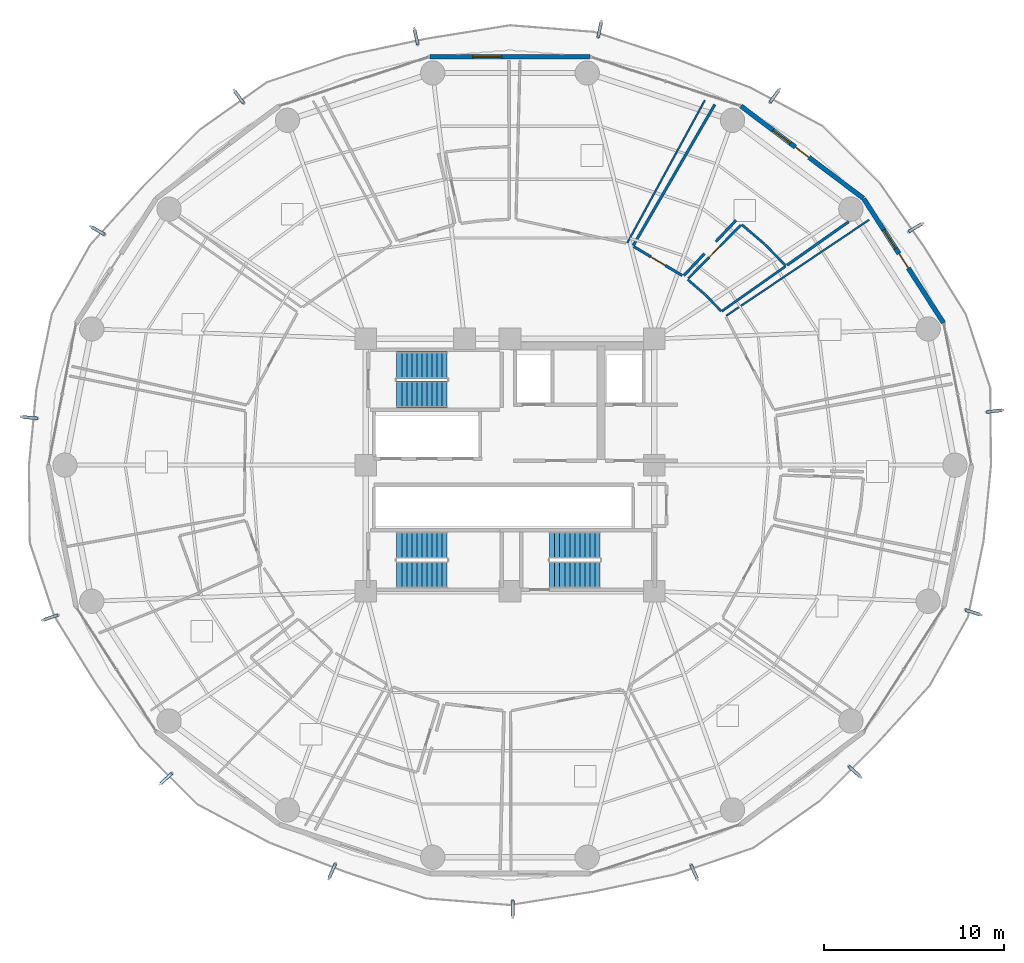
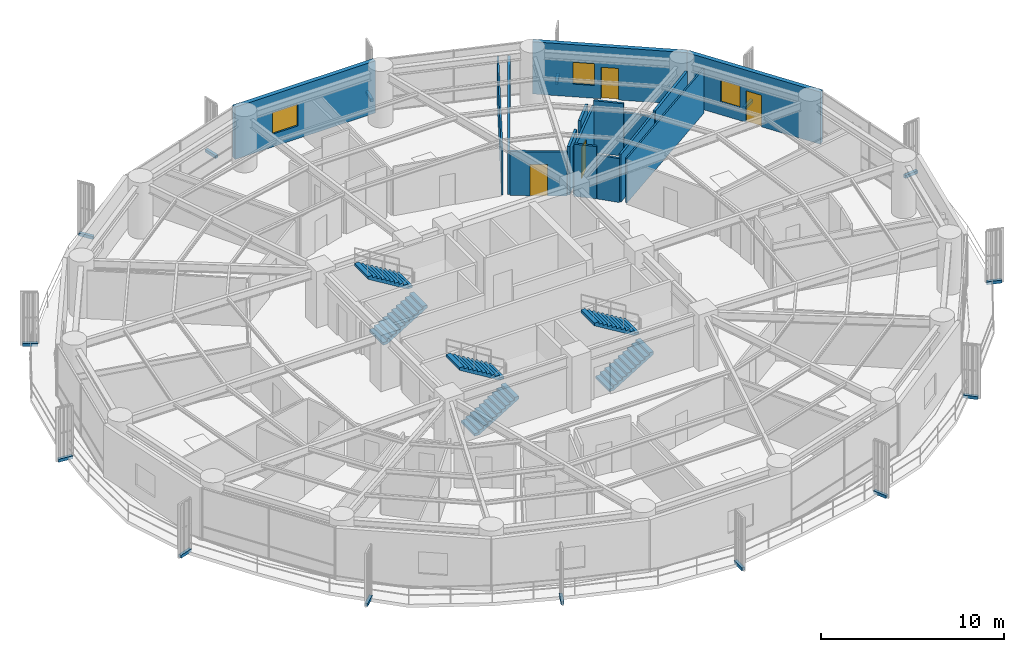
# One storey, part 32 of 35: 16 walls, 15 discrete accessories, 6 stair flights, 4 doors, 3 windows, 7 openings, 3 elements without a shape of their own.
"""IFC4 building model written with IfcOpenShell, lengths in metres."""

from ifc_helpers import new_model, si_unit, direction, frame, frame_2d, origin, origin_2d, place, context, subcontext, project, spatial, polyline, rectangle, outline, extrude, source, transform, mapped, material, layer, layer_set, type_object, element, fill, aggregate, save


model = new_model("IFC4")

# Units and contexts
model_context = context("Model", 3, precision=1e-05, world=origin(), true_north=direction((0.0, 1.0)))
body_context = subcontext(model_context, "Body", "Model", "MODEL_VIEW")
ifc_project = project(units=[si_unit("LENGTHUNIT", "METRE"), si_unit("AREAUNIT", "SQUARE_METRE"), si_unit("VOLUMEUNIT", "CUBIC_METRE"), si_unit("PLANEANGLEUNIT", "RADIAN"), si_unit("MASSUNIT", "GRAM", prefix="KILO")], contexts=[model_context])

# Site, building, storey
site_placement = place(None, origin())
site = spatial("IfcSite", under=ifc_project, at=site_placement, CompositionType="ELEMENT")
building_placement = place(site_placement, origin())
building = spatial("IfcBuilding", under=site, at=building_placement, Name="Kelanora Arch Commons", CompositionType="ELEMENT")
storey_placement = place(building_placement, frame((0.0, 0.0, 121.35009765625)))
storey = spatial("IfcBuildingStorey", under=building, at=storey_placement, Name="L31", CompositionType="ELEMENT", Elevation=121.35009765625)

# Wall, opening, door
ifc_material_1 = material(Name="Autoclaved aerated concrete blockwork with fire plaster", Category="masonry")
ifc_layer_1 = layer(ifc_material_1, 0.14990234375)
ifc_layer_set_1 = layer_set([ifc_layer_1], Name="Autoclaved aerated concrete blockwork with fire plaster")
wall_type_1 = type_object("IfcWallType", Name="W-COMP-150", PredefinedType="PARTITIONING", material=ifc_layer_set_1)
wall_1_placement = place(storey_placement, frame((83.5595703125, 68.509765625, 0.0), z_axis=(0.0, 0.0, 1.0), x_axis=(-0.858523244826, 0.512774646501, 0.0)))
wall_1 = element("IfcWall", 1, at=wall_1_placement, inside=storey, type_object=wall_type_1, Name="Co-Living Studio L31-01 Entry Partition", PredefinedType="PARTITIONING", context=body_context, shape_type="SweptSolid", body=[
    extrude(rectangle(XDim=3.130859375, YDim=0.14990234375, at=frame_2d((1.5654296875, 0.0))), origin(), (0.0, 0.0, 1.0), 2.9248046875),
])
opening_1_placement = place(wall_1_placement, frame((1.090087890625, 0.0, 0.0)))
opening_1 = element("IfcOpeningElement", 2, at=opening_1_placement, cuts=wall_1, Name="Opening D-CLU1", PredefinedType="OPENING", context=body_context, shape_type="SweptSolid", body=[
    extrude(rectangle(XDim=0.949951171875, YDim=2.080078125, at=frame_2d((0.47509765625, 1.0400390625))), frame((0.0, 0.0849609375, 0.0), z_axis=(0.0, -1.0, 0.0), x_axis=(1.0, 0.0, 0.0)), (0.0, 0.0, 1.0), 0.169921875),
])
ifc_material_2 = material(Name="Solid-core acoustic timber cluster entry fire door", Category="wood")
door_type_1 = type_object("IfcDoorType", Name="D-CLU-95", OperationType="NOTDEFINED", PredefinedType="DOOR", material=ifc_material_2)
door_1_placement = place(opening_1_placement, origin())
door_1 = element("IfcDoor", 3, at=door_1_placement, inside=storey, type_object=door_type_1, Name="Co-Living Studio L31-01 Door", OperationType="SINGLE_SWING_LEFT", OverallHeight=2.080078125, OverallWidth=0.949951171875, PredefinedType="DOOR", context=body_context, shape_type="SweptSolid", body=[
    extrude(rectangle(XDim=0.949951171875, YDim=2.080078125, at=frame_2d((0.47509765625, 1.0400390625))), frame((0.0, 0.02490234375, 0.0), z_axis=(0.0, -1.0, 0.0), x_axis=(1.0, 0.0, 0.0)), (0.0, 0.0, 1.0), 0.050048828125),
])
fill(opening_1, door_1)

# Walls
wall_2_placement = place(storey_placement, frame((80.840087890625, 70.1806640625, 0.0), z_axis=(0.0, 0.0, 1.0), x_axis=(0.500668535271, 0.865639080558, 0.0)))
element("IfcWall", 4, at=wall_2_placement, inside=storey, type_object=wall_type_1, Name="Co-Living Studio L31-01 Enclosure Partition 2", PredefinedType="PARTITIONING", context=body_context, shape_type="SweptSolid", body=[
    extrude(rectangle(XDim=9.030029296875, YDim=0.14990234375, at=frame_2d((4.51513671875, 0.0))), origin(), (0.0, 0.0, 1.0), 2.9248046875),
])
wall_3_placement = place(storey_placement, frame((92.789794921875, 71.50244140625, 0.0), z_axis=(0.0, 0.0, 1.0), x_axis=(-0.817102044885, -0.576493060015, 0.0)))
element("IfcWall", 5, at=wall_3_placement, inside=storey, type_object=wall_type_1, Name="Co-Living Studio L31-01 Enclosure Partition 5", PredefinedType="PARTITIONING", context=body_context, shape_type="SweptSolid", body=[
    extrude(rectangle(XDim=4.1845703125, YDim=0.14990234375, at=frame_2d((2.09228515625, 0.0))), origin(), (0.0, 0.0, 1.0), 3.23486328125),
])
wall_4_placement = place(storey_placement, frame((86.53955078125, 71.579833984375, 0.0), z_axis=(0.0, 0.0, 1.0), x_axis=(-0.68661474407, -0.727021453071, 0.0)))
element("IfcWall", 6, at=wall_4_placement, inside=storey, type_object=wall_type_1, Name="Co-Living Studio L31-01 Enclosure Partition 7", PredefinedType="PARTITIONING", context=body_context, shape_type="SweptSolid", body=[
    extrude(rectangle(XDim=1.63134765625, YDim=0.14990234375, at=frame_2d((0.815673828125, 0.0))), origin(), (0.0, 0.0, 1.0), 3.1748046875),
])
wall_5_placement = place(storey_placement, frame((84.78759765625, 69.724853515625, 0.0), z_axis=(0.0, 0.0, 1.0), x_axis=(-0.686614966265, -0.727021243226, 0.0)))
element("IfcWall", 7, at=wall_5_placement, inside=storey, type_object=wall_type_1, Name="Co-Living Studio L31-01 Enclosure Partition 7", PredefinedType="PARTITIONING", context=body_context, shape_type="SweptSolid", body=[
    extrude(rectangle(XDim=1.673583984375, YDim=0.14990234375, at=frame_2d((0.8369140625, 0.0))), origin(), (0.0, 0.0, 1.0), 3.23486328125),
])

# Wall, openings, door, window
ifc_material_3 = material(Name="Precast concrete C40/50 with terracotta rainscreen", Category="masonry")
ifc_layer_2 = layer(ifc_material_3, 0.260009765625)
ifc_layer_set_2 = layer_set([ifc_layer_2], Name="Precast concrete C40/50 with terracotta rainscreen")
wall_type_2 = type_object("IfcWallType", Name="W-EXT-TC", PredefinedType="SOLIDWALL", material=ifc_layer_set_2)
wall_6_placement = place(storey_placement, frame((98.048095703125, 65.879150390625, 0.0), z_axis=(0.0, 0.0, 1.0), x_axis=(-0.540620528459, 0.841266571432, 0.0)))
wall_6 = element("IfcWall", 8, at=wall_6_placement, inside=storey, type_object=wall_type_2, Name="Terracotta Exterior Wall L31-B01", PredefinedType="SOLIDWALL", context=body_context, shape_type="SweptSolid", body=[
    extrude(rectangle(XDim=8.19287109375, YDim=0.260009765625, at=frame_2d((4.096435546875, 0.0))), origin(), (0.0, 0.0, 1.0), 3.474853515625),
])
opening_2_placement = place(wall_6_placement, frame((3.62109375, 0.0, 0.0)))
opening_2 = element("IfcOpeningElement", 9, at=opening_2_placement, cuts=wall_6, Name="Opening DB-01", PredefinedType="OPENING", context=body_context, shape_type="SweptSolid", body=[
    extrude(rectangle(XDim=0.949951171875, YDim=2.10009765625, at=frame_2d((0.47509765625, 1.050048828125))), frame((0.0, 0.14013671875, 0.0), z_axis=(0.0, -1.0, 0.0), x_axis=(1.0, 0.0, 0.0)), (0.0, 0.0, 1.0), 0.280029296875),
])
opening_3_placement = place(wall_6_placement, frame((4.9208984375, 0.0, 0.85009765625)))
opening_3 = element("IfcOpeningElement", 10, at=opening_3_placement, cuts=wall_6, Name="Opening WN-02", PredefinedType="OPENING", context=body_context, shape_type="SweptSolid", body=[
    extrude(rectangle(XDim=1.199951171875, YDim=1.449951171875, at=frame_2d((0.60009765625, 0.72509765625))), frame((0.0, 0.14013671875, 0.0), z_axis=(0.0, -1.0, 0.0), x_axis=(1.0, 0.0, 0.0)), (0.0, 0.0, 1.0), 0.280029296875),
])
ifc_material_4 = material(Name="Terracotta-aluminium thermally broken glazed balcony door", Category="masonry")
door_type_2 = type_object("IfcDoorType", Name="D-BAL-10", OperationType="NOTDEFINED", PredefinedType="DOOR", material=ifc_material_4)
door_2_placement = place(opening_2_placement, frame((0.949951171875, 0.0, 0.0), z_axis=(0.0, 0.0, 1.0), x_axis=(-1.0, 0.0, 0.0)))
door_2 = element("IfcDoor", 11, at=door_2_placement, inside=storey, type_object=door_type_2, Name="Wave Balcony Door L31-B01", OperationType="SINGLE_SWING_LEFT", OverallHeight=2.10009765625, OverallWidth=0.949951171875, PredefinedType="DOOR", context=body_context, shape_type="SweptSolid", body=[
    extrude(rectangle(XDim=0.949951171875, YDim=2.10009765625, at=frame_2d((0.47509765625, 1.050048828125))), frame((0.0, 0.02490234375, 0.0), z_axis=(0.0, -1.0, 0.0), x_axis=(1.0, 0.0, 0.0)), (0.0, 0.0, 1.0), 0.050048828125),
])
fill(opening_2, door_2)
ifc_material_5 = material(Name="Terracotta-anodised aluminium frame with operable awning sash", Category="masonry")
window_type_1 = type_object("IfcWindowType", Name="WIN-CL-12", PartitioningType="SINGLE_PANEL", PredefinedType="WINDOW", material=ifc_material_5)
window_1_placement = place(opening_3_placement, origin())
window_1 = element("IfcWindow", 12, at=window_1_placement, inside=storey, type_object=window_type_1, Name="Co-Living Operable Window L31-B01", OverallHeight=1.449951171875, OverallWidth=1.199951171875, PartitioningType="SINGLE_PANEL", PredefinedType="WINDOW", context=body_context, shape_type="SweptSolid", body=[
    extrude(rectangle(XDim=1.199951171875, YDim=1.449951171875, at=frame_2d((0.60009765625, 0.72509765625))), frame((0.0, 0.030029296875, 0.0), z_axis=(0.0, -1.0, 0.0), x_axis=(1.0, 0.0, 0.0)), (0.0, 0.0, 1.0), 0.06005859375),
])
fill(opening_3, window_1)

wall_7_placement = place(storey_placement, frame((93.5986328125, 72.793212890625, 0.0), z_axis=(0.0, 0.0, 1.0), x_axis=(-0.798501507879, 0.601992808857, 0.0)))
wall_7 = element("IfcWall", 13, at=wall_7_placement, inside=storey, type_object=wall_type_2, Name="Terracotta Exterior Wall L31-B02", PredefinedType="SOLIDWALL", context=body_context, shape_type="SweptSolid", body=[
    extrude(rectangle(XDim=8.499267578125, YDim=0.260009765625, at=frame_2d((4.24951171875, 0.0))), origin(), (0.0, 0.0, 1.0), 3.474853515625),
])
opening_4_placement = place(wall_7_placement, frame((3.77490234375, 0.0, 0.0)))
opening_4 = element("IfcOpeningElement", 14, at=opening_4_placement, cuts=wall_7, Name="Opening DB-01", PredefinedType="OPENING", context=body_context, shape_type="SweptSolid", body=[
    extrude(rectangle(XDim=0.949951171875, YDim=2.10009765625, at=frame_2d((0.47509765625, 1.050048828125))), frame((0.0, 0.14013671875, 0.0), z_axis=(0.0, -1.0, 0.0), x_axis=(1.0, 0.0, 0.0)), (0.0, 0.0, 1.0), 0.280029296875),
])
opening_5_placement = place(wall_7_placement, frame((5.074951171875, 0.0, 0.85009765625)))
opening_5 = element("IfcOpeningElement", 15, at=opening_5_placement, cuts=wall_7, Name="Opening WN-02", PredefinedType="OPENING", context=body_context, shape_type="SweptSolid", body=[
    extrude(rectangle(XDim=1.199951171875, YDim=1.449951171875, at=frame_2d((0.60009765625, 0.72509765625))), frame((0.0, 0.14013671875, 0.0), z_axis=(0.0, -1.0, 0.0), x_axis=(1.0, 0.0, 0.0)), (0.0, 0.0, 1.0), 0.280029296875),
])
door_3_placement = place(opening_4_placement, frame((0.949951171875, 0.0, 0.0), z_axis=(0.0, 0.0, 1.0), x_axis=(-1.0, 0.0, 0.0)))
door_3 = element("IfcDoor", 16, at=door_3_placement, inside=storey, type_object=door_type_2, Name="Wave Balcony Door L31-B02", OperationType="SINGLE_SWING_RIGHT", OverallHeight=2.10009765625, OverallWidth=0.949951171875, PredefinedType="DOOR", context=body_context, shape_type="SweptSolid", body=[
    extrude(rectangle(XDim=0.949951171875, YDim=2.10009765625, at=frame_2d((0.47509765625, 1.050048828125))), frame((0.0, 0.02490234375, 0.0), z_axis=(0.0, -1.0, 0.0), x_axis=(1.0, 0.0, 0.0)), (0.0, 0.0, 1.0), 0.050048828125),
])
fill(opening_4, door_3)
window_2_placement = place(opening_5_placement, origin())
window_2 = element("IfcWindow", 17, at=window_2_placement, inside=storey, type_object=window_type_1, Name="Co-Living Operable Window L31-B02", OverallHeight=1.449951171875, OverallWidth=1.199951171875, PartitioningType="SINGLE_PANEL", PredefinedType="WINDOW", context=body_context, shape_type="SweptSolid", body=[
    extrude(rectangle(XDim=1.199951171875, YDim=1.449951171875, at=frame_2d((0.60009765625, 0.72509765625))), frame((0.0, 0.030029296875, 0.0), z_axis=(0.0, -1.0, 0.0), x_axis=(1.0, 0.0, 0.0)), (0.0, 0.0, 1.0), 0.06005859375),
])
fill(opening_5, window_2)

# Wall, opening, window
wall_8_placement = place(storey_placement, frame((78.430419921875, 80.650634765625, 0.0), z_axis=(0.0, 0.0, 1.0), x_axis=(-1.0, 0.0, 0.0)))
wall_8 = element("IfcWall", 18, at=wall_8_placement, inside=storey, type_object=wall_type_2, Name="Terracotta Exterior Wall L31-B04", PredefinedType="SOLIDWALL", context=body_context, shape_type="SweptSolid", body=[
    extrude(rectangle(XDim=8.86083984375, YDim=0.260009765625, at=frame_2d((4.430419921875, 0.0))), origin(), (0.0, 0.0, 1.0), 3.474853515625),
])
opening_6_placement = place(wall_8_placement, frame((4.889892578125, 0.0, 0.85009765625)))
opening_6 = element("IfcOpeningElement", 19, at=opening_6_placement, cuts=wall_8, Name="Opening WN-01", PredefinedType="OPENING", context=body_context, shape_type="SweptSolid", body=[
    extrude(rectangle(XDim=1.60009765625, YDim=1.449951171875, at=frame_2d((0.800048828125, 0.72509765625))), frame((0.0, 0.14013671875, 0.0), z_axis=(0.0, -1.0, 0.0), x_axis=(1.0, 0.0, 0.0)), (0.0, 0.0, 1.0), 0.280029296875),
])
ifc_material_6 = material(Name="Terracotta-anodised aluminium frame with operable low-E glazing", Category="masonry")
window_type_2 = type_object("IfcWindowType", Name="WIN-CL-18", PartitioningType="DOUBLE_PANEL_VERTICAL", PredefinedType="WINDOW", material=ifc_material_6)
window_3_placement = place(opening_6_placement, origin())
window_3 = element("IfcWindow", 20, at=window_3_placement, inside=storey, type_object=window_type_2, Name="Co-Living Operable Window L31-B04", OverallHeight=1.449951171875, OverallWidth=1.60009765625, PartitioningType="SINGLE_PANEL", PredefinedType="WINDOW", context=body_context, shape_type="SweptSolid", body=[
    extrude(rectangle(XDim=1.60009765625, YDim=1.449951171875, at=frame_2d((0.800048828125, 0.72509765625))), frame((0.0, 0.030029296875, 0.0), z_axis=(0.0, -1.0, 0.0), x_axis=(1.0, 0.0, 0.0)), (0.0, 0.0, 1.0), 0.06005859375),
])
fill(opening_6, window_3)

# Walls
ifc_material_7 = material(Name="Lightweight fire-rated acoustic stud partition")
ifc_layer_3 = layer(ifc_material_7, 0.10009765625)
ifc_layer_set_3 = layer_set([ifc_layer_3], Name="Lightweight fire-rated acoustic stud partition")
wall_type_3 = type_object("IfcWallType", Name="W-PART-100", PredefinedType="PARTITIONING", material=ifc_layer_set_3)
wall_9_placement = place(storey_placement, frame((84.81201171875, 78.240966796875, 0.0), z_axis=(0.0, 0.0, 1.0), x_axis=(-0.477645693392, -0.878552554822, 0.0)))
element("IfcWall", 21, at=wall_9_placement, inside=storey, type_object=wall_type_3, Name="Communal Dining and Social Hall L31-02 Enclosure Partition 4", PredefinedType="PARTITIONING", context=body_context, shape_type="SweptSolid", body=[
    extrude(rectangle(XDim=9.006591796875, YDim=0.10009765625, at=frame_2d((4.50341796875, 0.0))), origin(), (0.0, 0.0, 1.0), 2.9248046875),
])
wall_10_placement = place(storey_placement, frame((85.9892578125, 66.2822265625, 0.0), z_axis=(0.0, 0.0, 1.0), x_axis=(0.830433607217, 0.557117603388, 0.0)))
element("IfcWall", 22, at=wall_10_placement, inside=storey, type_object=wall_type_3, Name="Communal Dining and Social Hall L31-14 Enclosure Partition 2", PredefinedType="PARTITIONING", context=body_context, shape_type="SweptSolid", body=[
    extrude(rectangle(XDim=9.546142578125, YDim=0.10009765625, at=frame_2d((4.77294921875, 0.0))), origin(), (0.0, 0.0, 1.0), 2.974853515625),
])

# Wall, opening, door
ifc_material_8 = material(Name="Moisture-resistant fire-rated cement-board plumbing wall")
ifc_layer_4 = layer(ifc_material_8, 0.1298828125)
ifc_layer_set_4 = layer_set([ifc_layer_4], Name="Moisture-resistant fire-rated cement-board plumbing wall")
wall_type_4 = type_object("IfcWallType", Name="W-WET-120", PredefinedType="PLUMBINGWALL", material=ifc_layer_set_4)
wall_11_placement = place(storey_placement, frame((83.883056640625, 68.3447265625, 0.0), z_axis=(0.0, 0.0, 1.0), x_axis=(0.70168270288, 0.712489567979, 0.0)))
wall_11 = element("IfcWall", 23, at=wall_11_placement, inside=storey, type_object=wall_type_4, Name="En-Suite Shower WC L31-01 Entry Partition", PredefinedType="PLUMBINGWALL", context=body_context, shape_type="SweptSolid", body=[
    extrude(rectangle(XDim=4.15673828125, YDim=0.1298828125, at=frame_2d((2.078369140625, 0.0))), origin(), (0.0, 0.0, 1.0), 3.1748046875),
])
opening_7_placement = place(wall_11_placement, frame((1.64794921875, 0.0, 0.0)))
opening_7 = element("IfcOpeningElement", 24, at=opening_7_placement, cuts=wall_11, Name="Opening D-BT1", PredefinedType="OPENING", context=body_context, shape_type="SweptSolid", body=[
    extrude(rectangle(XDim=0.860107421875, YDim=2.050048828125, at=frame_2d((0.43017578125, 1.02490234375))), frame((0.0, 0.074951171875, 0.0), z_axis=(0.0, -1.0, 0.0), x_axis=(1.0, 0.0, 0.0)), (0.0, 0.0, 1.0), 0.14990234375),
])
ifc_material_9 = material(Name="Moisture-sealed fire-rated accessible bathroom door")
door_type_3 = type_object("IfcDoorType", Name="D-BATH-85", OperationType="NOTDEFINED", PredefinedType="DOOR", material=ifc_material_9)
door_4_placement = place(opening_7_placement, origin())
door_4 = element("IfcDoor", 25, at=door_4_placement, inside=storey, type_object=door_type_3, Name="En-Suite Shower WC L31-01 Door", OperationType="SINGLE_SWING_RIGHT", OverallHeight=2.050048828125, OverallWidth=0.860107421875, PredefinedType="DOOR", context=body_context, shape_type="SweptSolid", body=[
    extrude(rectangle(XDim=0.860107421875, YDim=2.050048828125, at=frame_2d((0.43017578125, 1.02490234375))), frame((0.0, 0.02490234375, 0.0), z_axis=(0.0, -1.0, 0.0), x_axis=(1.0, 0.0, 0.0)), (0.0, 0.0, 1.0), 0.050048828125),
])
fill(opening_7, door_4)

# Walls
wall_12_placement = place(storey_placement, frame((85.716064453125, 66.536376953125, 0.0), z_axis=(0.0, 0.0, 1.0), x_axis=(-0.695817197704, 0.718218927194, 0.0)))
element("IfcWall", 26, at=wall_12_placement, inside=storey, type_object=wall_type_4, Name="En-Suite Shower WC L31-01 Enclosure Partition 1", PredefinedType="PLUMBINGWALL", context=body_context, shape_type="SweptSolid", body=[
    extrude(rectangle(XDim=1.25341796875, YDim=0.1298828125, at=frame_2d((0.626708984375, 0.0))), origin(), (0.0, 0.0, 1.0), 2.9248046875),
])
wall_13_placement = place(storey_placement, frame((84.814697265625, 67.464111328125, 0.0), z_axis=(0.0, 0.0, 1.0), x_axis=(-0.757933178543, 0.652332198242, 0.0)))
element("IfcWall", 27, at=wall_13_placement, inside=storey, type_object=wall_type_4, Name="En-Suite Shower WC L31-01 Enclosure Partition 2", PredefinedType="PLUMBINGWALL", context=body_context, shape_type="SweptSolid", body=[
    extrude(rectangle(XDim=1.2646484375, YDim=0.1298828125, at=frame_2d((0.63232421875, 0.0))), origin(), (0.0, 0.0, 1.0), 3.47998046875),
])
wall_14_placement = place(storey_placement, frame((86.857177734375, 71.3359375, 0.0), z_axis=(0.0, 0.0, 1.0), x_axis=(0.760056789813, -0.649856658241, 0.0)))
element("IfcWall", 28, at=wall_14_placement, inside=storey, type_object=wall_type_4, Name="En-Suite Shower WC L31-01 Enclosure Partition 4", PredefinedType="PLUMBINGWALL", context=body_context, shape_type="SweptSolid", body=[
    extrude(rectangle(XDim=1.6572265625, YDim=0.1298828125, at=frame_2d((0.82861328125, 0.0))), origin(), (0.0, 0.0, 1.0), 3.47998046875),
])
wall_15_placement = place(storey_placement, frame((88.14599609375, 70.231689453125, 0.0), z_axis=(0.0, 0.0, 1.0), x_axis=(0.698431593966, -0.715676818508, 0.0)))
element("IfcWall", 29, at=wall_15_placement, inside=storey, type_object=wall_type_4, Name="En-Suite Shower WC L31-01 Enclosure Partition 5", PredefinedType="PLUMBINGWALL", context=body_context, shape_type="SweptSolid", body=[
    extrude(rectangle(XDim=1.64208984375, YDim=0.1298828125, at=frame_2d((0.821044921875, 0.0))), origin(), (0.0, 0.0, 1.0), 2.9248046875),
])
wall_16_placement = place(storey_placement, frame((89.290771484375, 69.030517578125, 0.0), z_axis=(0.0, 0.0, 1.0), x_axis=(-0.817498099131, -0.575931296178, 0.0)))
element("IfcWall", 30, at=wall_16_placement, inside=storey, type_object=wall_type_4, Name="En-Suite Shower WC L31-01 Enclosure Partition 6", PredefinedType="PLUMBINGWALL", context=body_context, shape_type="SweptSolid", body=[
    extrude(rectangle(XDim=4.335693359375, YDim=0.1298828125, at=frame_2d((2.16796875, 0.0))), origin(), (0.0, 0.0, 1.0), 3.1748046875),
])

# Stair, stair flights
ifc_material_10 = material(Name="Concrete C40/50", Category="concrete")
stair_type = type_object("IfcStairType", Name="STR-DL-375", PredefinedType="HALF_TURN_STAIR", material=ifc_material_10)
stair_1_placement = place(storey_placement, origin())
stair_1 = element("IfcStair", 31, at=stair_1_placement, inside=storey, type_object=stair_type, Name="L31 ST-T1", PredefinedType="HALF_TURN_STAIR")
stair_flight_type = type_object("IfcStairFlightType", Name="FLT-DL-375", PredefinedType="STRAIGHT", material=ifc_material_10)
stair_flight_1_placement = place(storey_placement, frame((67.719970703125, 61.919921875, 0.0), z_axis=(0.0, 0.0, 1.0), x_axis=(1.0, 0.0, 0.0)))
stair_flight_1 = element("IfcStairFlight", 32, at=stair_flight_1_placement, type_object=stair_flight_type, Name="ST-T1 flight 1", NumberOfRisers=11, NumberOfTreads=10, PredefinedType="STRAIGHT", RiserHeight=0.170454545, TreadLength=0.28, context=body_context, shape_type="SweptSolid", body=[
    extrude(outline(polyline([(0.0, 0.0), (0.0, 0.17041015625), (0.280029296875, 0.17041015625), (0.280029296875, 0.3408203125), (0.56005859375, 0.3408203125), (0.56005859375, 0.511474609375), (0.840087890625, 0.511474609375), (0.840087890625, 0.681884765625), (1.1201171875, 0.681884765625), (1.1201171875, 0.852294921875), (1.39990234375, 0.852294921875), (1.39990234375, 1.022705078125), (1.679931640625, 1.022705078125), (1.679931640625, 1.193115234375), (1.9599609375, 1.193115234375), (1.9599609375, 1.363525390625), (2.239990234375, 1.363525390625), (2.239990234375, 1.5341796875), (2.52001953125, 1.5341796875), (2.52001953125, 1.70458984375), (2.800048828125, 1.70458984375), (2.800048828125, 1.875), (2.800048828125, 1.529052734375), (0.288330078125, 0.0), (0.0, 0.0)])), frame((0.0, 0.739990234375, 0.0), z_axis=(0.0, -1.0, 0.0), x_axis=(1.0, 0.0, 0.0)), (0.0, 0.0, 1.0), 1.47998046875),
])
stair_flight_2_placement = place(storey_placement, frame((70.52001953125, 63.550048828125, 1.875), z_axis=(0.0, 0.0, 1.0), x_axis=(-1.0, 0.0, 0.0)))
stair_flight_2 = element("IfcStairFlight", 33, at=stair_flight_2_placement, type_object=stair_flight_type, Name="ST-T1 flight 2", NumberOfRisers=11, NumberOfTreads=10, PredefinedType="STRAIGHT", RiserHeight=0.170454545, TreadLength=0.28, context=body_context, shape_type="SweptSolid", body=[
    extrude(outline(polyline([(0.0, 0.0), (0.0, 0.17041015625), (0.280029296875, 0.17041015625), (0.280029296875, 0.3408203125), (0.56005859375, 0.3408203125), (0.56005859375, 0.511474609375), (0.840087890625, 0.511474609375), (0.840087890625, 0.681884765625), (1.1201171875, 0.681884765625), (1.1201171875, 0.852294921875), (1.39990234375, 0.852294921875), (1.39990234375, 1.022705078125), (1.679931640625, 1.022705078125), (1.679931640625, 1.193115234375), (1.9599609375, 1.193115234375), (1.9599609375, 1.363525390625), (2.239990234375, 1.363525390625), (2.239990234375, 1.5341796875), (2.52001953125, 1.5341796875), (2.52001953125, 1.70458984375), (2.800048828125, 1.70458984375), (2.800048828125, 1.875), (2.800048828125, 1.529052734375), (0.288330078125, 0.0), (0.0, 0.0)])), frame((0.0, 0.739990234375, 0.0), z_axis=(0.0, -1.0, 0.0), x_axis=(1.0, 0.0, 0.0)), (0.0, 0.0, 1.0), 1.47998046875),
])
aggregate(stair_1, [stair_flight_1, stair_flight_2])

stair_2_placement = place(storey_placement, origin())
stair_2 = element("IfcStair", 34, at=stair_2_placement, inside=storey, type_object=stair_type, Name="L31 ST-T2", PredefinedType="HALF_TURN_STAIR")
stair_flight_3_placement = place(storey_placement, frame((76.199951171875, 51.919921875, 0.0), z_axis=(0.0, 0.0, 1.0), x_axis=(1.0, 0.0, 0.0)))
stair_flight_3 = element("IfcStairFlight", 35, at=stair_flight_3_placement, type_object=stair_flight_type, Name="ST-T2 flight 1", NumberOfRisers=11, NumberOfTreads=10, PredefinedType="STRAIGHT", RiserHeight=0.170454545, TreadLength=0.28, context=body_context, shape_type="SweptSolid", body=[
    extrude(outline(polyline([(0.0, 0.0), (0.0, 0.17041015625), (0.280029296875, 0.17041015625), (0.280029296875, 0.3408203125), (0.56005859375, 0.3408203125), (0.56005859375, 0.511474609375), (0.840087890625, 0.511474609375), (0.840087890625, 0.681884765625), (1.1201171875, 0.681884765625), (1.1201171875, 0.852294921875), (1.39990234375, 0.852294921875), (1.39990234375, 1.022705078125), (1.679931640625, 1.022705078125), (1.679931640625, 1.193115234375), (1.9599609375, 1.193115234375), (1.9599609375, 1.363525390625), (2.239990234375, 1.363525390625), (2.239990234375, 1.5341796875), (2.52001953125, 1.5341796875), (2.52001953125, 1.70458984375), (2.800048828125, 1.70458984375), (2.800048828125, 1.875), (2.800048828125, 1.529052734375), (0.288330078125, 0.0), (0.0, 0.0)])), frame((0.0, 0.739990234375, 0.0), z_axis=(0.0, -1.0, 0.0), x_axis=(1.0, 0.0, 0.0)), (0.0, 0.0, 1.0), 1.47998046875),
])
stair_flight_4_placement = place(storey_placement, frame((79.0, 53.550048828125, 1.875), z_axis=(0.0, 0.0, 1.0), x_axis=(-1.0, 0.0, 0.0)))
stair_flight_4 = element("IfcStairFlight", 36, at=stair_flight_4_placement, type_object=stair_flight_type, Name="ST-T2 flight 2", NumberOfRisers=11, NumberOfTreads=10, PredefinedType="STRAIGHT", RiserHeight=0.170454545, TreadLength=0.28, context=body_context, shape_type="SweptSolid", body=[
    extrude(outline(polyline([(0.0, 0.0), (0.0, 0.17041015625), (0.280029296875, 0.17041015625), (0.280029296875, 0.3408203125), (0.56005859375, 0.3408203125), (0.56005859375, 0.511474609375), (0.840087890625, 0.511474609375), (0.840087890625, 0.681884765625), (1.1201171875, 0.681884765625), (1.1201171875, 0.852294921875), (1.39990234375, 0.852294921875), (1.39990234375, 1.022705078125), (1.679931640625, 1.022705078125), (1.679931640625, 1.193115234375), (1.9599609375, 1.193115234375), (1.9599609375, 1.363525390625), (2.239990234375, 1.363525390625), (2.239990234375, 1.5341796875), (2.52001953125, 1.5341796875), (2.52001953125, 1.70458984375), (2.800048828125, 1.70458984375), (2.800048828125, 1.875), (2.800048828125, 1.529052734375), (0.288330078125, 0.0), (0.0, 0.0)])), frame((0.0, 0.739990234375, 0.0), z_axis=(0.0, -1.0, 0.0), x_axis=(1.0, 0.0, 0.0)), (0.0, 0.0, 1.0), 1.47998046875),
])
aggregate(stair_2, [stair_flight_3, stair_flight_4])

stair_3_placement = place(storey_placement, origin())
stair_3 = element("IfcStair", 37, at=stair_3_placement, inside=storey, type_object=stair_type, Name="L31 ST-T3", PredefinedType="HALF_TURN_STAIR")
stair_flight_5_placement = place(storey_placement, frame((67.719970703125, 51.919921875, 0.0), z_axis=(0.0, 0.0, 1.0), x_axis=(1.0, 0.0, 0.0)))
stair_flight_5 = element("IfcStairFlight", 38, at=stair_flight_5_placement, type_object=stair_flight_type, Name="ST-T3 flight 1", NumberOfRisers=11, NumberOfTreads=10, PredefinedType="STRAIGHT", RiserHeight=0.170454545, TreadLength=0.28, context=body_context, shape_type="SweptSolid", body=[
    extrude(outline(polyline([(0.0, 0.0), (0.0, 0.17041015625), (0.280029296875, 0.17041015625), (0.280029296875, 0.3408203125), (0.56005859375, 0.3408203125), (0.56005859375, 0.511474609375), (0.840087890625, 0.511474609375), (0.840087890625, 0.681884765625), (1.1201171875, 0.681884765625), (1.1201171875, 0.852294921875), (1.39990234375, 0.852294921875), (1.39990234375, 1.022705078125), (1.679931640625, 1.022705078125), (1.679931640625, 1.193115234375), (1.9599609375, 1.193115234375), (1.9599609375, 1.363525390625), (2.239990234375, 1.363525390625), (2.239990234375, 1.5341796875), (2.52001953125, 1.5341796875), (2.52001953125, 1.70458984375), (2.800048828125, 1.70458984375), (2.800048828125, 1.875), (2.800048828125, 1.529052734375), (0.288330078125, 0.0), (0.0, 0.0)])), frame((0.0, 0.739990234375, 0.0), z_axis=(0.0, -1.0, 0.0), x_axis=(1.0, 0.0, 0.0)), (0.0, 0.0, 1.0), 1.47998046875),
])
stair_flight_6_placement = place(storey_placement, frame((70.52001953125, 53.550048828125, 1.875), z_axis=(0.0, 0.0, 1.0), x_axis=(-1.0, 0.0, 0.0)))
stair_flight_6 = element("IfcStairFlight", 39, at=stair_flight_6_placement, type_object=stair_flight_type, Name="ST-T3 flight 2", NumberOfRisers=11, NumberOfTreads=10, PredefinedType="STRAIGHT", RiserHeight=0.170454545, TreadLength=0.28, context=body_context, shape_type="SweptSolid", body=[
    extrude(outline(polyline([(0.0, 0.0), (0.0, 0.17041015625), (0.280029296875, 0.17041015625), (0.280029296875, 0.3408203125), (0.56005859375, 0.3408203125), (0.56005859375, 0.511474609375), (0.840087890625, 0.511474609375), (0.840087890625, 0.681884765625), (1.1201171875, 0.681884765625), (1.1201171875, 0.852294921875), (1.39990234375, 0.852294921875), (1.39990234375, 1.022705078125), (1.679931640625, 1.022705078125), (1.679931640625, 1.193115234375), (1.9599609375, 1.193115234375), (1.9599609375, 1.363525390625), (2.239990234375, 1.363525390625), (2.239990234375, 1.5341796875), (2.52001953125, 1.5341796875), (2.52001953125, 1.70458984375), (2.800048828125, 1.70458984375), (2.800048828125, 1.875), (2.800048828125, 1.529052734375), (0.288330078125, 0.0), (0.0, 0.0)])), frame((0.0, 0.739990234375, 0.0), z_axis=(0.0, -1.0, 0.0), x_axis=(1.0, 0.0, 0.0)), (0.0, 0.0, 1.0), 1.47998046875),
])
aggregate(stair_3, [stair_flight_5, stair_flight_6])

# Discrete accessories
ifc_material_11 = material(Name="Stainless steel 316 marine fin bracket", Category="steel")
discrete_accessory_type = type_object("IfcDiscreteAccessoryType", Name="ACC-FIN-BRK", PredefinedType="BRACKET", material=ifc_material_11)
shared_shape = source(origin(), body_context, "Body", "SweptSolid", [
    extrude(rectangle(XDim=0.84375, YDim=0.179931640625, at=origin_2d()), origin(), (0.0, 0.0, 1.0), 0.199951171875),
])
for number, where, z_axis, x_axis, name in (
    (40, (96.46826171875, 71.1591796875, -0.16015625), (0.0, 0.0, 1.0), (0.862866737202, 0.505431492718, 0.0), "Sweeping Fin Cantilever Spine Bracket L31-00"),
    (41, (88.666015625, 78.452880859375, -0.16015625), (0.0, 0.0, 1.0), (0.582690479669, 0.812694164433, 0.0), "Sweeping Fin Cantilever Spine Bracket L31-01"),
    (42, (78.973388671875, 82.135986328125, -0.16015625), (0.0, 0.0, 1.0), (0.201761744624, 0.979434632023, 0.0), "Sweeping Fin Cantilever Spine Bracket L31-02"),
    (43, (68.800048828125, 81.735107421875, -0.16015625), (0.0, 0.0, 1.0), (-0.214053429014, 0.976821953852, 0.0), "Sweeping Fin Cantilever Spine Bracket L31-03"),
    (44, (58.98681640625, 78.395263671875, -0.16015625), (0.0, 0.0, 1.0), (-0.592856820161, 0.805307885711, 0.0), "Sweeping Fin Cantilever Spine Bracket L31-04"),
    (45, (51.163330078125, 70.99560546875, -0.16015625), (0.0, 0.0, 1.0), (-0.869149881167, 0.494548768138, 0.0), "Sweeping Fin Cantilever Spine Bracket L31-05"),
    (46, (47.381103515625, 60.630126953125, -0.16015625), (0.0, 0.0, 1.0), (-0.995159031741, 0.09827767572, 0.0), "Sweeping Fin Cantilever Spine Bracket L31-06"),
    (47, (48.54296875, 49.552734375, -0.16015625), (0.0, 0.0, 1.0), (-0.94909614499, -0.314986519655, 0.0), "Sweeping Fin Cantilever Spine Bracket L31-07"),
    (48, (54.94580078125, 40.627197265625, -0.16015625), (0.0, 0.0, 1.0), (-0.738925912503, -0.673786684219, 0.0), "Sweeping Fin Cantilever Spine Bracket L31-08"),
    (49, (64.151611328125, 35.50439453125, -0.16015625), (0.0, 0.0, 1.0), (-0.400988676813, -0.916083009922, 0.0), "Sweeping Fin Cantilever Spine Bracket L31-09"),
    (50, (74.153076171875, 33.4287109375, -0.16015625), (0.0, 0.0, 1.0), (0.006283143966, -0.999980260856, 0.0), "Sweeping Fin Cantilever Spine Bracket L31-10"),
    (51, (84.207275390625, 35.453125, -0.16015625), (0.0, 0.0, 1.0), (0.412468552072, -0.910971840153, 0.0), "Sweeping Fin Cantilever Spine Bracket L31-11"),
    (52, (93.099365234375, 41.01708984375, -0.16015625), (0.0, 0.0, 1.0), (0.747334400366, -0.664448112368, 0.0), "Sweeping Fin Cantilever Spine Bracket L31-12"),
    (53, (99.655517578125, 49.84033203125, -0.16015625), (0.0, 0.0, 1.0), (0.952979341517, -0.303035269633, 0.0), "Sweeping Fin Cantilever Spine Bracket L31-13"),
    (54, (100.845703125, 60.99072265625, -0.16015625), (0.0, 0.0, 1.0), (0.993845496974, 0.110775124211, 0.0), "Sweeping Fin Cantilever Spine Bracket L31-14"),
):
    element("IfcDiscreteAccessory", number, at=place(storey_placement, frame(where, z_axis=z_axis, x_axis=x_axis)), inside=storey, type_object=discrete_accessory_type, Name=name, PredefinedType="BRACKET", context=body_context, shape_type="MappedRepresentation", body=[
        mapped(shared_shape, transform((0.0, 0.0, 0.0), scale=1.0)),
    ])

save(model, "model.ifc")
